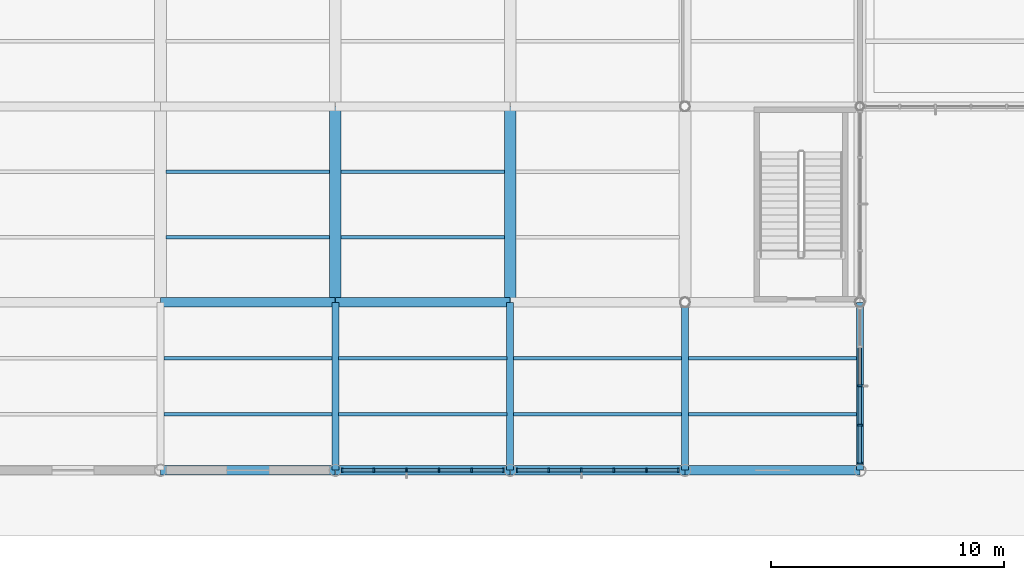
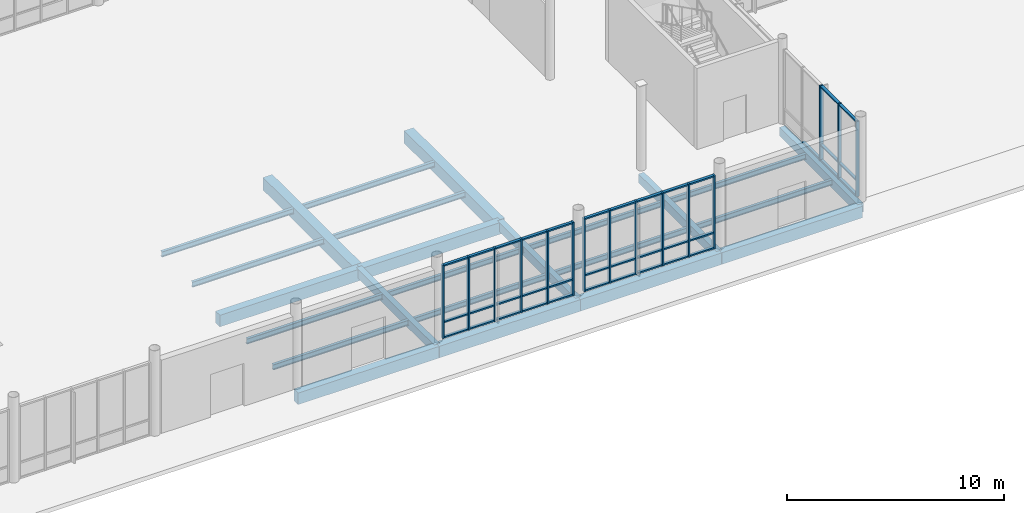
# One storey, part 17 of 82: 52 members, 24 beams, 3 elements without a shape of their own.
"""IFC4 building model written with IfcOpenShell, lengths in metres."""

from ifc_helpers import new_model, si_unit, direction, frame, origin, origin_2d, place, context, subcontext, project, spatial, rectangle, i_section, extrude, material, layer, layer_set, material_profile, profile_set, type_object, element, aggregate, save


model = new_model("IFC4")

# Units and contexts
model_context = context("Model", 3, precision=1e-05, world=origin(), true_north=direction((0.0, 1.0)))
body_context = subcontext(model_context, "Body", "Model", "MODEL_VIEW")
ifc_project = project(units=[si_unit("LENGTHUNIT", "METRE"), si_unit("AREAUNIT", "SQUARE_METRE"), si_unit("VOLUMEUNIT", "CUBIC_METRE"), si_unit("PLANEANGLEUNIT", "RADIAN"), si_unit("MASSUNIT", "GRAM", prefix="KILO")], contexts=[model_context])

# Site, building, storey
site_placement = place(None, origin())
site = spatial("IfcSite", under=ifc_project, at=site_placement, CompositionType="ELEMENT")
building_placement = place(site_placement, origin())
building = spatial("IfcBuilding", under=site, at=building_placement, Name="Yukiwa Park Conservatory and Herbarium", CompositionType="ELEMENT")
storey_placement = place(building_placement, origin())
storey = spatial("IfcBuildingStorey", under=building, at=storey_placement, Name="L00", CompositionType="ELEMENT", Elevation=0.0)

# Beams
ifc_material_1 = material(Name="Steel Q355D", Category="steel")
ifc_material_profile_1 = material_profile(ifc_material_1, i_section(OverallWidth=0.14892578125, OverallDepth=0.298095703125, WebThickness=0.005615234375, FlangeThickness=0.008056640625, FilletRadius=0.012939453125, at=origin_2d()), Name="HN 298x149x5.5x8")
ifc_profile_set_1 = profile_set([ifc_material_profile_1], Name="Steel Q355D")
beam_type_1 = type_object("IfcBeamType", Name="BM-JST-HN298", PredefinedType="JOIST", material=ifc_profile_set_1)
for number, where, z_axis, x_axis, name in (
    (1, (30.14599609375, 2.39990234375, -0.408935546875), (1.0, 0.0, 0.0), (0.0, 1.0, 0.0), "L00 composite floor joist 37"),
    (2, (30.14599609375, 4.800048828125, -0.408935546875), (1.0, 0.0, 0.0), (0.0, 1.0, 0.0), "L00 composite floor joist 38"),
):
    element("IfcBeam", number, at=place(storey_placement, frame(where, z_axis=z_axis, x_axis=x_axis)), inside=storey, type_object=beam_type_1, Name=name, PredefinedType="JOIST", context=body_context, shape_type="SweptSolid", body=[
        extrude(i_section(OverallWidth=0.14892578125, OverallDepth=0.298095703125, WebThickness=0.005615234375, FlangeThickness=0.008056640625, FilletRadius=0.012939453125, at=origin_2d()), origin(), (0.0, 0.0, 1.0), 7.2080078125),
    ])
for number, where, z_axis, x_axis, name in (
    (3, (30.24609375, 10.0, -0.408935546875), (1.0, 0.0, 0.0), (0.0, 1.0, 0.0), "L00 composite floor joist 39"),
    (4, (30.24609375, 12.800048828125, -0.408935546875), (1.0, 0.0, 0.0), (0.0, 1.0, 0.0), "L00 composite floor joist 40"),
):
    element("IfcBeam", number, at=place(storey_placement, frame(where, z_axis=z_axis, x_axis=x_axis)), inside=storey, type_object=beam_type_1, Name=name, PredefinedType="JOIST", context=body_context, shape_type="SweptSolid", body=[
        extrude(i_section(OverallWidth=0.14892578125, OverallDepth=0.298095703125, WebThickness=0.005615234375, FlangeThickness=0.008056640625, FilletRadius=0.012939453125, at=origin_2d()), origin(), (0.0, 0.0, 1.0), 7.0078125),
    ])
for number, where, z_axis, x_axis, name in (
    (5, (37.64599609375, 2.39990234375, -0.408935546875), (1.0, 0.0, 0.0), (0.0, 1.0, 0.0), "L00 composite floor joist 51"),
    (6, (37.64599609375, 4.800048828125, -0.408935546875), (1.0, 0.0, 0.0), (0.0, 1.0, 0.0), "L00 composite floor joist 52"),
):
    element("IfcBeam", number, at=place(storey_placement, frame(where, z_axis=z_axis, x_axis=x_axis)), inside=storey, type_object=beam_type_1, Name=name, PredefinedType="JOIST", context=body_context, shape_type="SweptSolid", body=[
        extrude(i_section(OverallWidth=0.14892578125, OverallDepth=0.298095703125, WebThickness=0.005615234375, FlangeThickness=0.008056640625, FilletRadius=0.012939453125, at=origin_2d()), origin(), (0.0, 0.0, 1.0), 7.2080078125),
    ])
for number, where, z_axis, x_axis, name in (
    (7, (37.74609375, 10.0, -0.408935546875), (1.0, 0.0, 0.0), (0.0, 1.0, 0.0), "L00 composite floor joist 53"),
    (8, (37.74609375, 12.800048828125, -0.408935546875), (1.0, 0.0, 0.0), (0.0, 1.0, 0.0), "L00 composite floor joist 54"),
):
    element("IfcBeam", number, at=place(storey_placement, frame(where, z_axis=z_axis, x_axis=x_axis)), inside=storey, type_object=beam_type_1, Name=name, PredefinedType="JOIST", context=body_context, shape_type="SweptSolid", body=[
        extrude(i_section(OverallWidth=0.14892578125, OverallDepth=0.298095703125, WebThickness=0.005615234375, FlangeThickness=0.008056640625, FilletRadius=0.012939453125, at=origin_2d()), origin(), (0.0, 0.0, 1.0), 7.0078125),
    ])
for number, where, z_axis, x_axis, name in (
    (9, (45.14599609375, 2.39990234375, -0.408935546875), (1.0, 0.0, 0.0), (0.0, 1.0, 0.0), "L00 composite floor joist 65"),
    (10, (45.14599609375, 4.800048828125, -0.408935546875), (1.0, 0.0, 0.0), (0.0, 1.0, 0.0), "L00 composite floor joist 66"),
    (11, (52.64599609375, 2.39990234375, -0.408935546875), (1.0, 0.0, 0.0), (0.0, 1.0, 0.0), "L00 composite floor joist 79"),
    (12, (52.64599609375, 4.800048828125, -0.408935546875), (1.0, 0.0, 0.0), (0.0, 1.0, 0.0), "L00 composite floor joist 80"),
):
    element("IfcBeam", number, at=place(storey_placement, frame(where, z_axis=z_axis, x_axis=x_axis)), inside=storey, type_object=beam_type_1, Name=name, PredefinedType="JOIST", context=body_context, shape_type="SweptSolid", body=[
        extrude(i_section(OverallWidth=0.14892578125, OverallDepth=0.298095703125, WebThickness=0.005615234375, FlangeThickness=0.008056640625, FilletRadius=0.012939453125, at=origin_2d()), origin(), (0.0, 0.0, 1.0), 7.2080078125),
    ])
ifc_material_2 = material(Name="Concrete C40", Category="concrete")
ifc_material_profile_2 = material_profile(ifc_material_2, rectangle(XDim=0.300048828125, YDim=0.5, at=origin_2d()), Name="RC 300x500")
ifc_profile_set_2 = profile_set([ifc_material_profile_2], Name="Concrete C40")
beam_type_2 = type_object("IfcBeamType", Name="BM-RC-300X500", PredefinedType="BEAM", material=ifc_profile_set_2)
for number, where, z_axis, x_axis, name in (
    (13, (37.5, 0.006103515625, -0.510009765625), (0.0, 1.0, 0.0), (-1.0, 0.0, 0.0), "L00 grid girder Y-185"),
    (14, (45.0, 0.006103515625, -0.510009765625), (0.0, 1.0, 0.0), (-1.0, 0.0, 0.0), "L00 grid girder Y-193"),
    (15, (52.5, 0.006103515625, -0.510009765625), (0.0, 1.0, 0.0), (-1.0, 0.0, 0.0), "L00 grid girder Y-201"),
    (16, (60.0, 0.006103515625, -0.510009765625), (0.0, 1.0, 0.0), (-1.0, 0.0, 0.0), "L00 grid girder Y-209"),
):
    element("IfcBeam", number, at=place(storey_placement, frame(where, z_axis=z_axis, x_axis=x_axis)), inside=storey, type_object=beam_type_2, Name=name, PredefinedType="BEAM", context=body_context, shape_type="SweptSolid", body=[
        extrude(rectangle(XDim=0.300048828125, YDim=0.5, at=origin_2d()), origin(), (0.0, 0.0, 1.0), 7.18798828125),
    ])
ifc_material_3 = material(Name="Concrete C40", Category="concrete")
ifc_material_profile_3 = material_profile(ifc_material_3, rectangle(XDim=0.39990234375, YDim=0.64990234375, at=origin_2d()), Name="RC 400x650")
ifc_profile_set_3 = profile_set([ifc_material_profile_3], Name="Concrete C40")
beam_type_3 = type_object("IfcBeamType", Name="BM-RC-400X650", PredefinedType="BEAM", material=ifc_profile_set_3)
for number, where, z_axis, x_axis, name in (
    (17, (30.006103515625, 0.0, -0.5849609375), (1.0, 0.0, 0.0), (0.0, 1.0, 0.0), "L00 grid beam X-5"),
    (18, (37.506103515625, 0.0, -0.5849609375), (1.0, 0.0, 0.0), (0.0, 1.0, 0.0), "L00 grid beam X-6"),
    (19, (45.006103515625, 0.0, -0.5849609375), (1.0, 0.0, 0.0), (0.0, 1.0, 0.0), "L00 grid beam X-7"),
    (20, (52.506103515625, 0.0, -0.5849609375), (1.0, 0.0, 0.0), (0.0, 1.0, 0.0), "L00 grid beam X-8"),
    (21, (30.006103515625, 7.199951171875, -0.5849609375), (1.0, 0.0, 0.0), (0.0, 1.0, 0.0), "L00 grid beam X-13"),
    (22, (37.506103515625, 7.199951171875, -0.5849609375), (1.0, 0.0, 0.0), (0.0, 1.0, 0.0), "L00 grid beam X-14"),
):
    element("IfcBeam", number, at=place(storey_placement, frame(where, z_axis=z_axis, x_axis=x_axis)), inside=storey, type_object=beam_type_3, Name=name, PredefinedType="BEAM", context=body_context, shape_type="SweptSolid", body=[
        extrude(rectangle(XDim=0.39990234375, YDim=0.64990234375, at=origin_2d()), origin(), (0.0, 0.0, 1.0), 7.48779296875),
    ])
ifc_material_4 = material(Name="Concrete C40", Category="concrete")
ifc_material_profile_4 = material_profile(ifc_material_4, rectangle(XDim=0.5, YDim=0.699951171875, at=origin_2d()), Name="RC 500x700")
ifc_profile_set_4 = profile_set([ifc_material_profile_4], Name="Concrete C40")
beam_type_4 = type_object("IfcBeamType", Name="BM-RC-500X700", PredefinedType="BEAM", material=ifc_profile_set_4)
for number, where, z_axis, x_axis, name in (
    (23, (37.5, 7.2060546875, -0.610107421875), (0.0, 1.0, 0.0), (-1.0, 0.0, 0.0), "L00 grid girder Y-186"),
    (24, (45.0, 7.2060546875, -0.610107421875), (0.0, 1.0, 0.0), (-1.0, 0.0, 0.0), "L00 grid girder Y-194"),
):
    element("IfcBeam", number, at=place(storey_placement, frame(where, z_axis=z_axis, x_axis=x_axis)), inside=storey, type_object=beam_type_4, Name=name, PredefinedType="BEAM", context=body_context, shape_type="SweptSolid", body=[
        extrude(rectangle(XDim=0.5, YDim=0.699951171875, at=origin_2d()), origin(), (0.0, 0.0, 1.0), 8.387939453125),
    ])

# Curtain wall, members
ifc_material_5 = material(Name="Triple Low-E Insulated Glass", Category="glass")
ifc_layer_1 = layer(ifc_material_5, 0.152099609375)
ifc_layer_set_1 = layer_set([ifc_layer_1], Name="Triple Low-E Insulated Glass")
curtain_wall_type_1 = type_object("IfcCurtainWallType", Name="CW-CONSERVATORY-1500", PredefinedType="NOTDEFINED", material=ifc_layer_set_1)
curtain_wall_1_placement = place(storey_placement, origin())
curtain_wall_1 = element("IfcCurtainWall", 25, at=curtain_wall_1_placement, inside=storey, type_object=curtain_wall_type_1, Name="L00 unitised curtain wall CW-L00-003", PredefinedType="NOTDEFINED")
ifc_material_6 = material(Name="Anodised Aluminium", Category="aluminium")
member_type_1 = type_object("IfcMemberType", Name="MB-CW-MUL-80X180", PredefinedType="MULLION", material=ifc_material_6)
member_1_placement = place(storey_placement, frame((37.7939453125, 0.0, 0.0), z_axis=(0.0, 0.0, 1.0), x_axis=(1.0, 0.0, 0.0)))
member_1 = element("IfcMember", 26, at=member_1_placement, type_object=member_type_1, Name="CW-L00-003 mullion 1", PredefinedType="MULLION", context=body_context, shape_type="SweptSolid", body=[
    extrude(rectangle(XDim=0.080078125, YDim=0.179931640625, at=origin_2d()), origin(), (0.0, 0.0, 1.0), 4.110107421875),
])
member_2_placement = place(storey_placement, frame((39.15234375, 0.0, 0.0), z_axis=(0.0, 0.0, 1.0), x_axis=(1.0, 0.0, 0.0)))
member_2 = element("IfcMember", 27, at=member_2_placement, type_object=member_type_1, Name="CW-L00-003 mullion 2", PredefinedType="MULLION", context=body_context, shape_type="SweptSolid", body=[
    extrude(rectangle(XDim=0.080078125, YDim=0.179931640625, at=origin_2d()), origin(), (0.0, 0.0, 1.0), 4.110107421875),
])
member_3_placement = place(storey_placement, frame((40.55078125, 0.0, 0.0), z_axis=(0.0, 0.0, 1.0), x_axis=(1.0, 0.0, 0.0)))
member_3 = element("IfcMember", 28, at=member_3_placement, type_object=member_type_1, Name="CW-L00-003 mullion 3", PredefinedType="MULLION", context=body_context, shape_type="SweptSolid", body=[
    extrude(rectangle(XDim=0.080078125, YDim=0.179931640625, at=origin_2d()), origin(), (0.0, 0.0, 1.0), 4.110107421875),
])
member_4_placement = place(storey_placement, frame((41.94921875, 0.0, 0.0), z_axis=(0.0, 0.0, 1.0), x_axis=(1.0, 0.0, 0.0)))
member_4 = element("IfcMember", 29, at=member_4_placement, type_object=member_type_1, Name="CW-L00-003 mullion 4", PredefinedType="MULLION", context=body_context, shape_type="SweptSolid", body=[
    extrude(rectangle(XDim=0.080078125, YDim=0.179931640625, at=origin_2d()), origin(), (0.0, 0.0, 1.0), 4.110107421875),
])
member_5_placement = place(storey_placement, frame((43.34765625, 0.0, 0.0), z_axis=(0.0, 0.0, 1.0), x_axis=(1.0, 0.0, 0.0)))
member_5 = element("IfcMember", 30, at=member_5_placement, type_object=member_type_1, Name="CW-L00-003 mullion 5", PredefinedType="MULLION", context=body_context, shape_type="SweptSolid", body=[
    extrude(rectangle(XDim=0.080078125, YDim=0.179931640625, at=origin_2d()), origin(), (0.0, 0.0, 1.0), 4.110107421875),
])
member_6_placement = place(storey_placement, frame((44.7060546875, 0.0, 0.0), z_axis=(0.0, 0.0, 1.0), x_axis=(1.0, 0.0, 0.0)))
member_6 = element("IfcMember", 31, at=member_6_placement, type_object=member_type_1, Name="CW-L00-003 mullion 6", PredefinedType="MULLION", context=body_context, shape_type="SweptSolid", body=[
    extrude(rectangle(XDim=0.080078125, YDim=0.179931640625, at=origin_2d()), origin(), (0.0, 0.0, 1.0), 4.110107421875),
])

curtain_wall_2_placement = place(storey_placement, origin())
curtain_wall_2 = element("IfcCurtainWall", 32, at=curtain_wall_2_placement, inside=storey, type_object=curtain_wall_type_1, Name="L00 unitised curtain wall CW-L00-004", PredefinedType="NOTDEFINED")
member_7_placement = place(storey_placement, frame((45.2939453125, 0.0, 0.0), z_axis=(0.0, 0.0, 1.0), x_axis=(1.0, 0.0, 0.0)))
member_7 = element("IfcMember", 33, at=member_7_placement, type_object=member_type_1, Name="CW-L00-004 mullion 1", PredefinedType="MULLION", context=body_context, shape_type="SweptSolid", body=[
    extrude(rectangle(XDim=0.080078125, YDim=0.179931640625, at=origin_2d()), origin(), (0.0, 0.0, 1.0), 4.110107421875),
])
member_8_placement = place(storey_placement, frame((46.65234375, 0.0, 0.0), z_axis=(0.0, 0.0, 1.0), x_axis=(1.0, 0.0, 0.0)))
member_8 = element("IfcMember", 34, at=member_8_placement, type_object=member_type_1, Name="CW-L00-004 mullion 2", PredefinedType="MULLION", context=body_context, shape_type="SweptSolid", body=[
    extrude(rectangle(XDim=0.080078125, YDim=0.179931640625, at=origin_2d()), origin(), (0.0, 0.0, 1.0), 4.110107421875),
])
member_9_placement = place(storey_placement, frame((48.05078125, 0.0, 0.0), z_axis=(0.0, 0.0, 1.0), x_axis=(1.0, 0.0, 0.0)))
member_9 = element("IfcMember", 35, at=member_9_placement, type_object=member_type_1, Name="CW-L00-004 mullion 3", PredefinedType="MULLION", context=body_context, shape_type="SweptSolid", body=[
    extrude(rectangle(XDim=0.080078125, YDim=0.179931640625, at=origin_2d()), origin(), (0.0, 0.0, 1.0), 4.110107421875),
])
member_10_placement = place(storey_placement, frame((49.44921875, 0.0, 0.0), z_axis=(0.0, 0.0, 1.0), x_axis=(1.0, 0.0, 0.0)))
member_10 = element("IfcMember", 36, at=member_10_placement, type_object=member_type_1, Name="CW-L00-004 mullion 4", PredefinedType="MULLION", context=body_context, shape_type="SweptSolid", body=[
    extrude(rectangle(XDim=0.080078125, YDim=0.179931640625, at=origin_2d()), origin(), (0.0, 0.0, 1.0), 4.110107421875),
])
member_11_placement = place(storey_placement, frame((50.84765625, 0.0, 0.0), z_axis=(0.0, 0.0, 1.0), x_axis=(1.0, 0.0, 0.0)))
member_11 = element("IfcMember", 37, at=member_11_placement, type_object=member_type_1, Name="CW-L00-004 mullion 5", PredefinedType="MULLION", context=body_context, shape_type="SweptSolid", body=[
    extrude(rectangle(XDim=0.080078125, YDim=0.179931640625, at=origin_2d()), origin(), (0.0, 0.0, 1.0), 4.110107421875),
])
member_12_placement = place(storey_placement, frame((52.2060546875, 0.0, 0.0), z_axis=(0.0, 0.0, 1.0), x_axis=(1.0, 0.0, 0.0)))
member_12 = element("IfcMember", 38, at=member_12_placement, type_object=member_type_1, Name="CW-L00-004 mullion 6", PredefinedType="MULLION", context=body_context, shape_type="SweptSolid", body=[
    extrude(rectangle(XDim=0.080078125, YDim=0.179931640625, at=origin_2d()), origin(), (0.0, 0.0, 1.0), 4.110107421875),
])

ifc_material_7 = material(Name="Triple Low-E Insulated Glass", Category="glass")
ifc_layer_2 = layer(ifc_material_7, 0.1640625)
ifc_layer_set_2 = layer_set([ifc_layer_2], Name="Triple Low-E Insulated Glass")
curtain_wall_type_2 = type_object("IfcCurtainWallType", Name="CW-CONSERVATORY-1875", PredefinedType="NOTDEFINED", material=ifc_layer_set_2)
curtain_wall_3_placement = place(storey_placement, origin())
curtain_wall_3 = element("IfcCurtainWall", 39, at=curtain_wall_3_placement, inside=storey, type_object=curtain_wall_type_2, Name="L00 unitised curtain wall CW-L00-005", PredefinedType="NOTDEFINED")
member_13_placement = place(storey_placement, frame((60.0, 0.2939453125, 0.0), z_axis=(0.0, 0.0, 1.0), x_axis=(0.0, 1.0, 0.0)))
member_13 = element("IfcMember", 40, at=member_13_placement, type_object=member_type_1, Name="CW-L00-005 mullion 1", PredefinedType="MULLION", context=body_context, shape_type="SweptSolid", body=[
    extrude(rectangle(XDim=0.080078125, YDim=0.179931640625, at=origin_2d()), origin(), (0.0, 0.0, 1.0), 4.219970703125),
])
member_14_placement = place(storey_placement, frame((60.0, 1.937255859375, 0.0), z_axis=(0.0, 0.0, 1.0), x_axis=(0.0, 1.0, 0.0)))
member_14 = element("IfcMember", 41, at=member_14_placement, type_object=member_type_1, Name="CW-L00-005 mullion 2", PredefinedType="MULLION", context=body_context, shape_type="SweptSolid", body=[
    extrude(rectangle(XDim=0.080078125, YDim=0.179931640625, at=origin_2d()), origin(), (0.0, 0.0, 1.0), 4.219970703125),
])
member_15_placement = place(storey_placement, frame((60.0, 3.62060546875, 0.0), z_axis=(0.0, 0.0, 1.0), x_axis=(0.0, 1.0, 0.0)))
member_15 = element("IfcMember", 42, at=member_15_placement, type_object=member_type_1, Name="CW-L00-005 mullion 3", PredefinedType="MULLION", context=body_context, shape_type="SweptSolid", body=[
    extrude(rectangle(XDim=0.080078125, YDim=0.179931640625, at=origin_2d()), origin(), (0.0, 0.0, 1.0), 4.219970703125),
])

# Member
ifc_material_8 = material(Name="Anodised Aluminium", Category="aluminium")
member_type_2 = type_object("IfcMemberType", Name="MB-CW-TRN-80X150", PredefinedType="USERDEFINED", material=ifc_material_8)
member_16_placement = place(storey_placement, frame((38.453125, 0.0, 0.0), z_axis=(0.0, 0.0, 1.0), x_axis=(1.0, 0.0, 0.0)))
member_16 = element("IfcMember", 43, at=member_16_placement, type_object=member_type_2, Name="CW-L00-003 transom 1.1", ObjectType="TRANSOM", PredefinedType="USERDEFINED", context=body_context, shape_type="SweptSolid", body=[
    extrude(rectangle(XDim=1.318359375, YDim=0.14990234375, at=origin_2d()), origin(), (0.0, 0.0, 1.0), 0.080078125),
])

member_17_placement = place(storey_placement, frame((38.453125, 0.0, 0.85986328125), z_axis=(0.0, 0.0, 1.0), x_axis=(1.0, 0.0, 0.0)))
member_17 = element("IfcMember", 44, at=member_17_placement, type_object=member_type_2, Name="CW-L00-003 transom 1.2", ObjectType="TRANSOM", PredefinedType="USERDEFINED", context=body_context, shape_type="SweptSolid", body=[
    extrude(rectangle(XDim=1.318359375, YDim=0.14990234375, at=origin_2d()), origin(), (0.0, 0.0, 1.0), 0.080078125),
])

member_18_placement = place(storey_placement, frame((38.453125, 0.0, 4.030029296875), z_axis=(0.0, 0.0, 1.0), x_axis=(1.0, 0.0, 0.0)))
member_18 = element("IfcMember", 45, at=member_18_placement, type_object=member_type_2, Name="CW-L00-003 transom 1.3", ObjectType="TRANSOM", PredefinedType="USERDEFINED", context=body_context, shape_type="SweptSolid", body=[
    extrude(rectangle(XDim=1.318359375, YDim=0.14990234375, at=origin_2d()), origin(), (0.0, 0.0, 1.0), 0.080078125),
])

member_19_placement = place(storey_placement, frame((39.8515625, 0.0, 0.0), z_axis=(0.0, 0.0, 1.0), x_axis=(1.0, 0.0, 0.0)))
member_19 = element("IfcMember", 46, at=member_19_placement, type_object=member_type_2, Name="CW-L00-003 transom 2.1", ObjectType="TRANSOM", PredefinedType="USERDEFINED", context=body_context, shape_type="SweptSolid", body=[
    extrude(rectangle(XDim=1.318359375, YDim=0.14990234375, at=origin_2d()), origin(), (0.0, 0.0, 1.0), 0.080078125),
])

member_20_placement = place(storey_placement, frame((39.8515625, 0.0, 0.85986328125), z_axis=(0.0, 0.0, 1.0), x_axis=(1.0, 0.0, 0.0)))
member_20 = element("IfcMember", 47, at=member_20_placement, type_object=member_type_2, Name="CW-L00-003 transom 2.2", ObjectType="TRANSOM", PredefinedType="USERDEFINED", context=body_context, shape_type="SweptSolid", body=[
    extrude(rectangle(XDim=1.318359375, YDim=0.14990234375, at=origin_2d()), origin(), (0.0, 0.0, 1.0), 0.080078125),
])

member_21_placement = place(storey_placement, frame((39.8515625, 0.0, 4.030029296875), z_axis=(0.0, 0.0, 1.0), x_axis=(1.0, 0.0, 0.0)))
member_21 = element("IfcMember", 48, at=member_21_placement, type_object=member_type_2, Name="CW-L00-003 transom 2.3", ObjectType="TRANSOM", PredefinedType="USERDEFINED", context=body_context, shape_type="SweptSolid", body=[
    extrude(rectangle(XDim=1.318359375, YDim=0.14990234375, at=origin_2d()), origin(), (0.0, 0.0, 1.0), 0.080078125),
])

member_22_placement = place(storey_placement, frame((41.25, 0.0, 0.0), z_axis=(0.0, 0.0, 1.0), x_axis=(1.0, 0.0, 0.0)))
member_22 = element("IfcMember", 49, at=member_22_placement, type_object=member_type_2, Name="CW-L00-003 transom 3.1", ObjectType="TRANSOM", PredefinedType="USERDEFINED", context=body_context, shape_type="SweptSolid", body=[
    extrude(rectangle(XDim=1.318359375, YDim=0.14990234375, at=origin_2d()), origin(), (0.0, 0.0, 1.0), 0.080078125),
])

member_23_placement = place(storey_placement, frame((41.25, 0.0, 0.85986328125), z_axis=(0.0, 0.0, 1.0), x_axis=(1.0, 0.0, 0.0)))
member_23 = element("IfcMember", 50, at=member_23_placement, type_object=member_type_2, Name="CW-L00-003 transom 3.2", ObjectType="TRANSOM", PredefinedType="USERDEFINED", context=body_context, shape_type="SweptSolid", body=[
    extrude(rectangle(XDim=1.318359375, YDim=0.14990234375, at=origin_2d()), origin(), (0.0, 0.0, 1.0), 0.080078125),
])

member_24_placement = place(storey_placement, frame((41.25, 0.0, 4.030029296875), z_axis=(0.0, 0.0, 1.0), x_axis=(1.0, 0.0, 0.0)))
member_24 = element("IfcMember", 51, at=member_24_placement, type_object=member_type_2, Name="CW-L00-003 transom 3.3", ObjectType="TRANSOM", PredefinedType="USERDEFINED", context=body_context, shape_type="SweptSolid", body=[
    extrude(rectangle(XDim=1.318359375, YDim=0.14990234375, at=origin_2d()), origin(), (0.0, 0.0, 1.0), 0.080078125),
])

member_25_placement = place(storey_placement, frame((42.6484375, 0.0, 0.0), z_axis=(0.0, 0.0, 1.0), x_axis=(1.0, 0.0, 0.0)))
member_25 = element("IfcMember", 52, at=member_25_placement, type_object=member_type_2, Name="CW-L00-003 transom 4.1", ObjectType="TRANSOM", PredefinedType="USERDEFINED", context=body_context, shape_type="SweptSolid", body=[
    extrude(rectangle(XDim=1.318359375, YDim=0.14990234375, at=origin_2d()), origin(), (0.0, 0.0, 1.0), 0.080078125),
])

member_26_placement = place(storey_placement, frame((42.6484375, 0.0, 0.85986328125), z_axis=(0.0, 0.0, 1.0), x_axis=(1.0, 0.0, 0.0)))
member_26 = element("IfcMember", 53, at=member_26_placement, type_object=member_type_2, Name="CW-L00-003 transom 4.2", ObjectType="TRANSOM", PredefinedType="USERDEFINED", context=body_context, shape_type="SweptSolid", body=[
    extrude(rectangle(XDim=1.318359375, YDim=0.14990234375, at=origin_2d()), origin(), (0.0, 0.0, 1.0), 0.080078125),
])

member_27_placement = place(storey_placement, frame((42.6484375, 0.0, 4.030029296875), z_axis=(0.0, 0.0, 1.0), x_axis=(1.0, 0.0, 0.0)))
member_27 = element("IfcMember", 54, at=member_27_placement, type_object=member_type_2, Name="CW-L00-003 transom 4.3", ObjectType="TRANSOM", PredefinedType="USERDEFINED", context=body_context, shape_type="SweptSolid", body=[
    extrude(rectangle(XDim=1.318359375, YDim=0.14990234375, at=origin_2d()), origin(), (0.0, 0.0, 1.0), 0.080078125),
])

member_28_placement = place(storey_placement, frame((44.046875, 0.0, 0.0), z_axis=(0.0, 0.0, 1.0), x_axis=(1.0, 0.0, 0.0)))
member_28 = element("IfcMember", 55, at=member_28_placement, type_object=member_type_2, Name="CW-L00-003 transom 5.1", ObjectType="TRANSOM", PredefinedType="USERDEFINED", context=body_context, shape_type="SweptSolid", body=[
    extrude(rectangle(XDim=1.318359375, YDim=0.14990234375, at=origin_2d()), origin(), (0.0, 0.0, 1.0), 0.080078125),
])

member_29_placement = place(storey_placement, frame((44.046875, 0.0, 0.85986328125), z_axis=(0.0, 0.0, 1.0), x_axis=(1.0, 0.0, 0.0)))
member_29 = element("IfcMember", 56, at=member_29_placement, type_object=member_type_2, Name="CW-L00-003 transom 5.2", ObjectType="TRANSOM", PredefinedType="USERDEFINED", context=body_context, shape_type="SweptSolid", body=[
    extrude(rectangle(XDim=1.318359375, YDim=0.14990234375, at=origin_2d()), origin(), (0.0, 0.0, 1.0), 0.080078125),
])

member_30_placement = place(storey_placement, frame((44.046875, 0.0, 4.030029296875), z_axis=(0.0, 0.0, 1.0), x_axis=(1.0, 0.0, 0.0)))
member_30 = element("IfcMember", 57, at=member_30_placement, type_object=member_type_2, Name="CW-L00-003 transom 5.3", ObjectType="TRANSOM", PredefinedType="USERDEFINED", context=body_context, shape_type="SweptSolid", body=[
    extrude(rectangle(XDim=1.318359375, YDim=0.14990234375, at=origin_2d()), origin(), (0.0, 0.0, 1.0), 0.080078125),
])

aggregate(curtain_wall_1, [member_1, member_2, member_3, member_4, member_5, member_6, member_16, member_17, member_18, member_19, member_20, member_21, member_22, member_23, member_24, member_25, member_26, member_27, member_28, member_29, member_30])

member_31_placement = place(storey_placement, frame((45.953125, 0.0, 0.0), z_axis=(0.0, 0.0, 1.0), x_axis=(1.0, 0.0, 0.0)))
member_31 = element("IfcMember", 58, at=member_31_placement, type_object=member_type_2, Name="CW-L00-004 transom 1.1", ObjectType="TRANSOM", PredefinedType="USERDEFINED", context=body_context, shape_type="SweptSolid", body=[
    extrude(rectangle(XDim=1.318359375, YDim=0.14990234375, at=origin_2d()), origin(), (0.0, 0.0, 1.0), 0.080078125),
])

member_32_placement = place(storey_placement, frame((45.953125, 0.0, 0.85986328125), z_axis=(0.0, 0.0, 1.0), x_axis=(1.0, 0.0, 0.0)))
member_32 = element("IfcMember", 59, at=member_32_placement, type_object=member_type_2, Name="CW-L00-004 transom 1.2", ObjectType="TRANSOM", PredefinedType="USERDEFINED", context=body_context, shape_type="SweptSolid", body=[
    extrude(rectangle(XDim=1.318359375, YDim=0.14990234375, at=origin_2d()), origin(), (0.0, 0.0, 1.0), 0.080078125),
])

member_33_placement = place(storey_placement, frame((45.953125, 0.0, 4.030029296875), z_axis=(0.0, 0.0, 1.0), x_axis=(1.0, 0.0, 0.0)))
member_33 = element("IfcMember", 60, at=member_33_placement, type_object=member_type_2, Name="CW-L00-004 transom 1.3", ObjectType="TRANSOM", PredefinedType="USERDEFINED", context=body_context, shape_type="SweptSolid", body=[
    extrude(rectangle(XDim=1.318359375, YDim=0.14990234375, at=origin_2d()), origin(), (0.0, 0.0, 1.0), 0.080078125),
])

member_34_placement = place(storey_placement, frame((47.3515625, 0.0, 0.0), z_axis=(0.0, 0.0, 1.0), x_axis=(1.0, 0.0, 0.0)))
member_34 = element("IfcMember", 61, at=member_34_placement, type_object=member_type_2, Name="CW-L00-004 transom 2.1", ObjectType="TRANSOM", PredefinedType="USERDEFINED", context=body_context, shape_type="SweptSolid", body=[
    extrude(rectangle(XDim=1.318359375, YDim=0.14990234375, at=origin_2d()), origin(), (0.0, 0.0, 1.0), 0.080078125),
])

member_35_placement = place(storey_placement, frame((47.3515625, 0.0, 0.85986328125), z_axis=(0.0, 0.0, 1.0), x_axis=(1.0, 0.0, 0.0)))
member_35 = element("IfcMember", 62, at=member_35_placement, type_object=member_type_2, Name="CW-L00-004 transom 2.2", ObjectType="TRANSOM", PredefinedType="USERDEFINED", context=body_context, shape_type="SweptSolid", body=[
    extrude(rectangle(XDim=1.318359375, YDim=0.14990234375, at=origin_2d()), origin(), (0.0, 0.0, 1.0), 0.080078125),
])

member_36_placement = place(storey_placement, frame((47.3515625, 0.0, 4.030029296875), z_axis=(0.0, 0.0, 1.0), x_axis=(1.0, 0.0, 0.0)))
member_36 = element("IfcMember", 63, at=member_36_placement, type_object=member_type_2, Name="CW-L00-004 transom 2.3", ObjectType="TRANSOM", PredefinedType="USERDEFINED", context=body_context, shape_type="SweptSolid", body=[
    extrude(rectangle(XDim=1.318359375, YDim=0.14990234375, at=origin_2d()), origin(), (0.0, 0.0, 1.0), 0.080078125),
])

member_37_placement = place(storey_placement, frame((48.75, 0.0, 0.0), z_axis=(0.0, 0.0, 1.0), x_axis=(1.0, 0.0, 0.0)))
member_37 = element("IfcMember", 64, at=member_37_placement, type_object=member_type_2, Name="CW-L00-004 transom 3.1", ObjectType="TRANSOM", PredefinedType="USERDEFINED", context=body_context, shape_type="SweptSolid", body=[
    extrude(rectangle(XDim=1.318359375, YDim=0.14990234375, at=origin_2d()), origin(), (0.0, 0.0, 1.0), 0.080078125),
])

member_38_placement = place(storey_placement, frame((48.75, 0.0, 0.85986328125), z_axis=(0.0, 0.0, 1.0), x_axis=(1.0, 0.0, 0.0)))
member_38 = element("IfcMember", 65, at=member_38_placement, type_object=member_type_2, Name="CW-L00-004 transom 3.2", ObjectType="TRANSOM", PredefinedType="USERDEFINED", context=body_context, shape_type="SweptSolid", body=[
    extrude(rectangle(XDim=1.318359375, YDim=0.14990234375, at=origin_2d()), origin(), (0.0, 0.0, 1.0), 0.080078125),
])

member_39_placement = place(storey_placement, frame((48.75, 0.0, 4.030029296875), z_axis=(0.0, 0.0, 1.0), x_axis=(1.0, 0.0, 0.0)))
member_39 = element("IfcMember", 66, at=member_39_placement, type_object=member_type_2, Name="CW-L00-004 transom 3.3", ObjectType="TRANSOM", PredefinedType="USERDEFINED", context=body_context, shape_type="SweptSolid", body=[
    extrude(rectangle(XDim=1.318359375, YDim=0.14990234375, at=origin_2d()), origin(), (0.0, 0.0, 1.0), 0.080078125),
])

member_40_placement = place(storey_placement, frame((50.1484375, 0.0, 0.0), z_axis=(0.0, 0.0, 1.0), x_axis=(1.0, 0.0, 0.0)))
member_40 = element("IfcMember", 67, at=member_40_placement, type_object=member_type_2, Name="CW-L00-004 transom 4.1", ObjectType="TRANSOM", PredefinedType="USERDEFINED", context=body_context, shape_type="SweptSolid", body=[
    extrude(rectangle(XDim=1.318359375, YDim=0.14990234375, at=origin_2d()), origin(), (0.0, 0.0, 1.0), 0.080078125),
])

member_41_placement = place(storey_placement, frame((50.1484375, 0.0, 0.85986328125), z_axis=(0.0, 0.0, 1.0), x_axis=(1.0, 0.0, 0.0)))
member_41 = element("IfcMember", 68, at=member_41_placement, type_object=member_type_2, Name="CW-L00-004 transom 4.2", ObjectType="TRANSOM", PredefinedType="USERDEFINED", context=body_context, shape_type="SweptSolid", body=[
    extrude(rectangle(XDim=1.318359375, YDim=0.14990234375, at=origin_2d()), origin(), (0.0, 0.0, 1.0), 0.080078125),
])

member_42_placement = place(storey_placement, frame((50.1484375, 0.0, 4.030029296875), z_axis=(0.0, 0.0, 1.0), x_axis=(1.0, 0.0, 0.0)))
member_42 = element("IfcMember", 69, at=member_42_placement, type_object=member_type_2, Name="CW-L00-004 transom 4.3", ObjectType="TRANSOM", PredefinedType="USERDEFINED", context=body_context, shape_type="SweptSolid", body=[
    extrude(rectangle(XDim=1.318359375, YDim=0.14990234375, at=origin_2d()), origin(), (0.0, 0.0, 1.0), 0.080078125),
])

member_43_placement = place(storey_placement, frame((51.546875, 0.0, 0.0), z_axis=(0.0, 0.0, 1.0), x_axis=(1.0, 0.0, 0.0)))
member_43 = element("IfcMember", 70, at=member_43_placement, type_object=member_type_2, Name="CW-L00-004 transom 5.1", ObjectType="TRANSOM", PredefinedType="USERDEFINED", context=body_context, shape_type="SweptSolid", body=[
    extrude(rectangle(XDim=1.318359375, YDim=0.14990234375, at=origin_2d()), origin(), (0.0, 0.0, 1.0), 0.080078125),
])

member_44_placement = place(storey_placement, frame((51.546875, 0.0, 0.85986328125), z_axis=(0.0, 0.0, 1.0), x_axis=(1.0, 0.0, 0.0)))
member_44 = element("IfcMember", 71, at=member_44_placement, type_object=member_type_2, Name="CW-L00-004 transom 5.2", ObjectType="TRANSOM", PredefinedType="USERDEFINED", context=body_context, shape_type="SweptSolid", body=[
    extrude(rectangle(XDim=1.318359375, YDim=0.14990234375, at=origin_2d()), origin(), (0.0, 0.0, 1.0), 0.080078125),
])

member_45_placement = place(storey_placement, frame((51.546875, 0.0, 4.030029296875), z_axis=(0.0, 0.0, 1.0), x_axis=(1.0, 0.0, 0.0)))
member_45 = element("IfcMember", 72, at=member_45_placement, type_object=member_type_2, Name="CW-L00-004 transom 5.3", ObjectType="TRANSOM", PredefinedType="USERDEFINED", context=body_context, shape_type="SweptSolid", body=[
    extrude(rectangle(XDim=1.318359375, YDim=0.14990234375, at=origin_2d()), origin(), (0.0, 0.0, 1.0), 0.080078125),
])

aggregate(curtain_wall_2, [member_7, member_8, member_9, member_10, member_11, member_12, member_31, member_32, member_33, member_34, member_35, member_36, member_37, member_38, member_39, member_40, member_41, member_42, member_43, member_44, member_45])

member_46_placement = place(storey_placement, frame((60.0, 1.095703125, 0.0), z_axis=(0.0, 0.0, 1.0), x_axis=(0.0, 1.0, 0.0)))
member_46 = element("IfcMember", 73, at=member_46_placement, type_object=member_type_2, Name="CW-L00-005 transom 1.1", ObjectType="TRANSOM", PredefinedType="USERDEFINED", context=body_context, shape_type="SweptSolid", body=[
    extrude(rectangle(XDim=1.603271484375, YDim=0.14990234375, at=origin_2d()), origin(), (0.0, 0.0, 1.0), 0.080078125),
])

member_47_placement = place(storey_placement, frame((60.0, 1.095703125, 0.85986328125), z_axis=(0.0, 0.0, 1.0), x_axis=(0.0, 1.0, 0.0)))
member_47 = element("IfcMember", 74, at=member_47_placement, type_object=member_type_2, Name="CW-L00-005 transom 1.2", ObjectType="TRANSOM", PredefinedType="USERDEFINED", context=body_context, shape_type="SweptSolid", body=[
    extrude(rectangle(XDim=1.603271484375, YDim=0.14990234375, at=origin_2d()), origin(), (0.0, 0.0, 1.0), 0.080078125),
])

member_48_placement = place(storey_placement, frame((60.0, 1.095703125, 4.139892578125), z_axis=(0.0, 0.0, 1.0), x_axis=(0.0, 1.0, 0.0)))
member_48 = element("IfcMember", 75, at=member_48_placement, type_object=member_type_2, Name="CW-L00-005 transom 1.3", ObjectType="TRANSOM", PredefinedType="USERDEFINED", context=body_context, shape_type="SweptSolid", body=[
    extrude(rectangle(XDim=1.603271484375, YDim=0.14990234375, at=origin_2d()), origin(), (0.0, 0.0, 1.0), 0.080078125),
])

member_49_placement = place(storey_placement, frame((60.0, 2.77880859375, 0.0), z_axis=(0.0, 0.0, 1.0), x_axis=(0.0, 1.0, 0.0)))
member_49 = element("IfcMember", 76, at=member_49_placement, type_object=member_type_2, Name="CW-L00-005 transom 2.1", ObjectType="TRANSOM", PredefinedType="USERDEFINED", context=body_context, shape_type="SweptSolid", body=[
    extrude(rectangle(XDim=1.603271484375, YDim=0.14990234375, at=origin_2d()), origin(), (0.0, 0.0, 1.0), 0.080078125),
])

member_50_placement = place(storey_placement, frame((60.0, 2.77880859375, 0.85986328125), z_axis=(0.0, 0.0, 1.0), x_axis=(0.0, 1.0, 0.0)))
member_50 = element("IfcMember", 77, at=member_50_placement, type_object=member_type_2, Name="CW-L00-005 transom 2.2", ObjectType="TRANSOM", PredefinedType="USERDEFINED", context=body_context, shape_type="SweptSolid", body=[
    extrude(rectangle(XDim=1.603271484375, YDim=0.14990234375, at=origin_2d()), origin(), (0.0, 0.0, 1.0), 0.080078125),
])

member_51_placement = place(storey_placement, frame((60.0, 2.77880859375, 4.139892578125), z_axis=(0.0, 0.0, 1.0), x_axis=(0.0, 1.0, 0.0)))
member_51 = element("IfcMember", 78, at=member_51_placement, type_object=member_type_2, Name="CW-L00-005 transom 2.3", ObjectType="TRANSOM", PredefinedType="USERDEFINED", context=body_context, shape_type="SweptSolid", body=[
    extrude(rectangle(XDim=1.603271484375, YDim=0.14990234375, at=origin_2d()), origin(), (0.0, 0.0, 1.0), 0.080078125),
])

member_52_placement = place(storey_placement, frame((60.0, 4.462158203125, 0.0), z_axis=(0.0, 0.0, 1.0), x_axis=(0.0, 1.0, 0.0)))
member_52 = element("IfcMember", 79, at=member_52_placement, type_object=member_type_2, Name="CW-L00-005 transom 3.1", ObjectType="TRANSOM", PredefinedType="USERDEFINED", context=body_context, shape_type="SweptSolid", body=[
    extrude(rectangle(XDim=1.603271484375, YDim=0.14990234375, at=origin_2d()), origin(), (0.0, 0.0, 1.0), 0.080078125),
])

aggregate(curtain_wall_3, [member_13, member_14, member_15, member_46, member_47, member_48, member_49, member_50, member_51, member_52])

save(model, "model.ifc")
